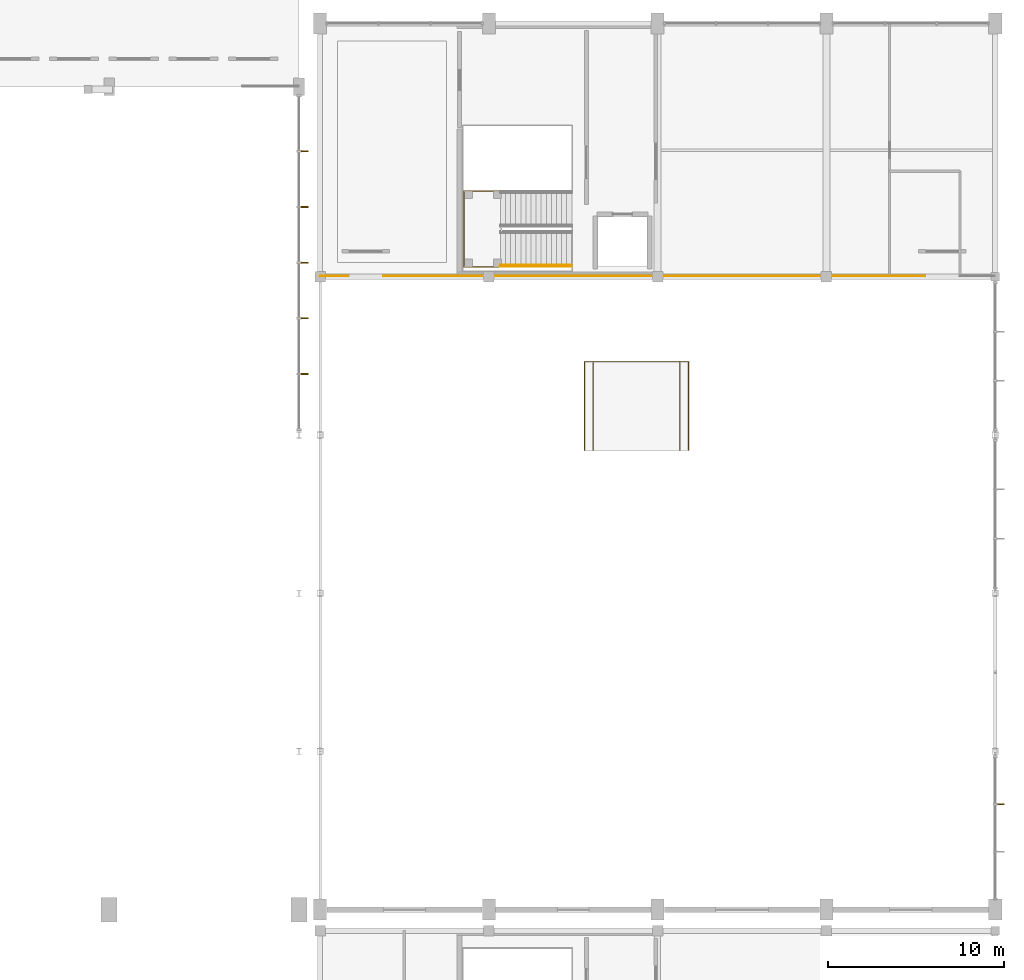
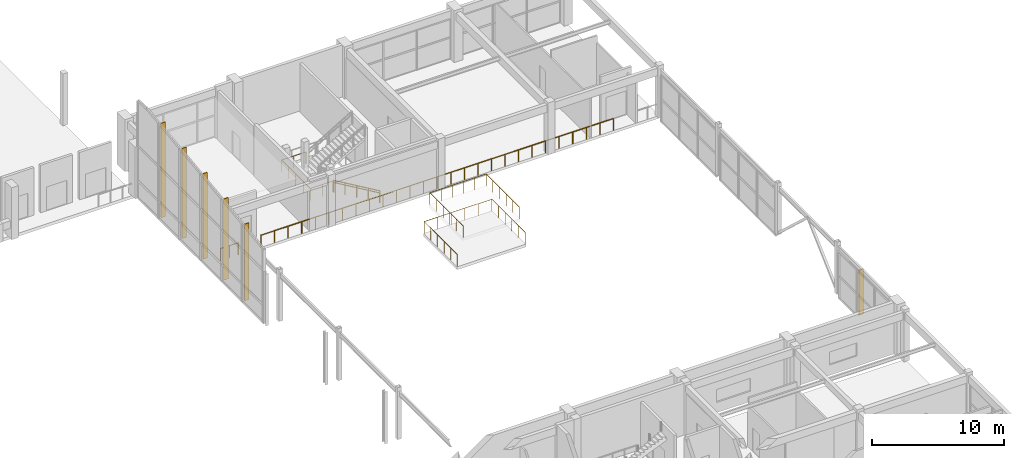
# One storey, part 71 of 74: 7 railings, 6 shading devices.
"""IFC4 building model written with IfcOpenShell, lengths in metres."""

from ifc_helpers import new_model, si_unit, direction, frame, origin, origin_2d, place, context, subcontext, project, spatial, rectangle, circle, extrude, material, type_object, element, save


model = new_model("IFC4")

# Units and contexts
model_context = context("Model", 3, precision=1e-05, world=origin(), true_north=direction((0.0, 1.0)))
body_context = subcontext(model_context, "Body", "Model", "MODEL_VIEW")
ifc_project = project(units=[si_unit("LENGTHUNIT", "METRE"), si_unit("AREAUNIT", "SQUARE_METRE"), si_unit("VOLUMEUNIT", "CUBIC_METRE"), si_unit("PLANEANGLEUNIT", "RADIAN"), si_unit("MASSUNIT", "GRAM", prefix="KILO")], contexts=[model_context])

# Site, building, storey
site_placement = place(None, origin())
site = spatial("IfcSite", under=ifc_project, at=site_placement, CompositionType="ELEMENT")
building_placement = place(site_placement, origin())
building = spatial("IfcBuilding", under=site, at=building_placement, Name="Suirenkawa Promenade Aquatics Centre", CompositionType="ELEMENT")
storey_placement = place(building_placement, frame((0.0, 0.0, 4.800048828125)))
storey = spatial("IfcBuildingStorey", under=building, at=storey_placement, Name="L01", CompositionType="ELEMENT", Elevation=4.800048828125)

# Railings
ifc_material_1 = material(Name="Marine-grade stainless steel Grade 316L", Category="steel")
railing_type_1 = type_object("IfcRailingType", Name="RLT-BALUSTRADE-1120", PredefinedType="BALUSTRADE", material=ifc_material_1)
railing_1_placement = place(storey_placement, frame((156.0400390625, 86.43994140625, 0.0)))
element("IfcRailing", 1, at=railing_1_placement, inside=storey, type_object=railing_type_1, Name="Balustrade BAL-01 RL-0427", PredefinedType="BALUSTRADE", context=body_context, shape_type="SweptSolid", body=[
    extrude(circle(Radius=0.02392578125, at=origin_2d()), frame((0.0, 0.0, 1.09619140625), z_axis=(1.0, 0.0, 0.0), x_axis=(0.0, 1.0, 0.0)), (0.0, 0.0, 1.0), 1.56005859375),
    extrude(circle(Radius=0.02099609375, at=origin_2d()), origin(), (0.0, 0.0, 1.0), 1.072021484375),
    extrude(circle(Radius=0.02099609375, at=origin_2d()), frame((0.780029296875, 0.0, 0.0)), (0.0, 0.0, 1.0), 1.072021484375),
    extrude(circle(Radius=0.02099609375, at=origin_2d()), frame((1.56005859375, 0.0, 0.0)), (0.0, 0.0, 1.0), 1.072021484375),
])
railing_2_placement = place(storey_placement, frame((159.60009765625, 86.43994140625, 0.0)))
element("IfcRailing", 2, at=railing_2_placement, inside=storey, type_object=railing_type_1, Name="Balustrade BAL-01 RL-0428", PredefinedType="BALUSTRADE", context=body_context, shape_type="SweptSolid", body=[
    extrude(circle(Radius=0.02392578125, at=origin_2d()), frame((0.0, 0.0, 1.09619140625), z_axis=(1.0, 0.0, 0.0), x_axis=(0.0, 1.0, 0.0)), (0.0, 0.0, 1.0), 30.7998046875),
    extrude(circle(Radius=0.02099609375, at=origin_2d()), origin(), (0.0, 0.0, 1.0), 1.072021484375),
    extrude(circle(Radius=0.02099609375, at=origin_2d()), frame((1.1845703125, 0.0, 0.0)), (0.0, 0.0, 1.0), 1.072021484375),
    extrude(circle(Radius=0.02099609375, at=origin_2d()), frame((2.369140625, 0.0, 0.0)), (0.0, 0.0, 1.0), 1.072021484375),
    extrude(circle(Radius=0.02099609375, at=origin_2d()), frame((3.5537109375, 0.0, 0.0)), (0.0, 0.0, 1.0), 1.072021484375),
    extrude(circle(Radius=0.02099609375, at=origin_2d()), frame((4.738525390625, 0.0, 0.0)), (0.0, 0.0, 1.0), 1.072021484375),
    extrude(circle(Radius=0.02099609375, at=origin_2d()), frame((5.923095703125, 0.0, 0.0)), (0.0, 0.0, 1.0), 1.072021484375),
    extrude(circle(Radius=0.02099609375, at=origin_2d()), frame((7.107666015625, 0.0, 0.0)), (0.0, 0.0, 1.0), 1.072021484375),
    extrude(circle(Radius=0.02099609375, at=origin_2d()), frame((8.292236328125, 0.0, 0.0)), (0.0, 0.0, 1.0), 1.072021484375),
    extrude(circle(Radius=0.02099609375, at=origin_2d()), frame((9.476806640625, 0.0, 0.0)), (0.0, 0.0, 1.0), 1.072021484375),
    extrude(circle(Radius=0.02099609375, at=origin_2d()), frame((10.661376953125, 0.0, 0.0)), (0.0, 0.0, 1.0), 1.072021484375),
    extrude(circle(Radius=0.02099609375, at=origin_2d()), frame((11.84619140625, 0.0, 0.0)), (0.0, 0.0, 1.0), 1.072021484375),
    extrude(circle(Radius=0.02099609375, at=origin_2d()), frame((13.03076171875, 0.0, 0.0)), (0.0, 0.0, 1.0), 1.072021484375),
    extrude(circle(Radius=0.02099609375, at=origin_2d()), frame((14.21533203125, 0.0, 0.0)), (0.0, 0.0, 1.0), 1.072021484375),
    extrude(circle(Radius=0.02099609375, at=origin_2d()), frame((15.39990234375, 0.0, 0.0)), (0.0, 0.0, 1.0), 1.072021484375),
    extrude(circle(Radius=0.02099609375, at=origin_2d()), frame((16.58447265625, 0.0, 0.0)), (0.0, 0.0, 1.0), 1.072021484375),
    extrude(circle(Radius=0.02099609375, at=origin_2d()), frame((17.76904296875, 0.0, 0.0)), (0.0, 0.0, 1.0), 1.072021484375),
    extrude(circle(Radius=0.02099609375, at=origin_2d()), frame((18.95361328125, 0.0, 0.0)), (0.0, 0.0, 1.0), 1.072021484375),
    extrude(circle(Radius=0.02099609375, at=origin_2d()), frame((20.138427734375, 0.0, 0.0)), (0.0, 0.0, 1.0), 1.072021484375),
    extrude(circle(Radius=0.02099609375, at=origin_2d()), frame((21.322998046875, 0.0, 0.0)), (0.0, 0.0, 1.0), 1.072021484375),
    extrude(circle(Radius=0.02099609375, at=origin_2d()), frame((22.507568359375, 0.0, 0.0)), (0.0, 0.0, 1.0), 1.072021484375),
    extrude(circle(Radius=0.02099609375, at=origin_2d()), frame((23.692138671875, 0.0, 0.0)), (0.0, 0.0, 1.0), 1.072021484375),
    extrude(circle(Radius=0.02099609375, at=origin_2d()), frame((24.876708984375, 0.0, 0.0)), (0.0, 0.0, 1.0), 1.072021484375),
    extrude(circle(Radius=0.02099609375, at=origin_2d()), frame((26.061279296875, 0.0, 0.0)), (0.0, 0.0, 1.0), 1.072021484375),
    extrude(circle(Radius=0.02099609375, at=origin_2d()), frame((27.24609375, 0.0, 0.0)), (0.0, 0.0, 1.0), 1.072021484375),
    extrude(circle(Radius=0.02099609375, at=origin_2d()), frame((28.4306640625, 0.0, 0.0)), (0.0, 0.0, 1.0), 1.072021484375),
    extrude(circle(Radius=0.02099609375, at=origin_2d()), frame((29.615234375, 0.0, 0.0)), (0.0, 0.0, 1.0), 1.072021484375),
    extrude(circle(Radius=0.02099609375, at=origin_2d()), frame((30.7998046875, 0.0, 0.0)), (0.0, 0.0, 1.0), 1.072021484375),
])
railing_type_2 = type_object("IfcRailingType", Name="RLT-GUARD-1120", PredefinedType="GUARDRAIL", material=ifc_material_1)
railing_3_placement = place(storey_placement, frame((170.31494140625, 87.0, 0.0)))
element("IfcRailing", 3, at=railing_3_placement, inside=storey, type_object=railing_type_2, Name="Guardrail GRD-01 RL-0163", PredefinedType="GUARDRAIL", context=body_context, shape_type="SweptSolid", body=[
    extrude(circle(Radius=0.02392578125, at=origin_2d()), frame((0.0, 0.0, 1.09619140625), z_axis=(-0.8608543813, 0.0, 0.508851387142), x_axis=(0.0, -1.0, 0.0)), (0.0, 0.0, 1.0), 4.71630859375),
    extrude(circle(Radius=0.02099609375, at=origin_2d()), origin(), (0.0, 0.0, 1.0), 1.072021484375),
    extrude(circle(Radius=0.02099609375, at=origin_2d()), frame((-1.01513671875, 0.0, 0.60009765625)), (0.0, 0.0, 1.0), 1.072021484375),
    extrude(circle(Radius=0.02099609375, at=origin_2d()), frame((-2.030029296875, 0.0, 1.199951171875)), (0.0, 0.0, 1.0), 1.072021484375),
    extrude(circle(Radius=0.02099609375, at=origin_2d()), frame((-3.044921875, 0.0, 1.7998046875)), (0.0, 0.0, 1.0), 1.072021484375),
    extrude(circle(Radius=0.02099609375, at=origin_2d()), frame((-4.06005859375, 0.0, 2.39990234375)), (0.0, 0.0, 1.0), 1.072021484375),
])
railing_4_placement = place(storey_placement, frame((166.320068359375, 86.949951171875, 2.39990234375)))
element("IfcRailing", 4, at=railing_4_placement, inside=storey, type_object=railing_type_2, Name="Guardrail GRD-01 RL-0169", PredefinedType="GUARDRAIL", context=body_context, shape_type="SweptSolid", body=[
    extrude(circle(Radius=0.02392578125, at=origin_2d()), frame((0.0, 0.0, 1.09619140625), z_axis=(-1.0, 0.0, 0.0), x_axis=(0.0, -1.0, 0.0)), (0.0, 0.0, 1.0), 2.130126953125),
    extrude(circle(Radius=0.02392578125, at=origin_2d()), frame((-2.130126953125, 0.0, 1.09619140625), z_axis=(0.0, 1.0, 0.0), x_axis=(-1.0, 0.0, 0.0)), (0.0, 0.0, 1.0), 4.330078125),
    extrude(circle(Radius=0.02392578125, at=origin_2d()), frame((-2.130126953125, 4.330078125, 1.09619140625), z_axis=(1.0, 0.0, 0.0), x_axis=(0.0, 1.0, 0.0)), (0.0, 0.0, 1.0), 2.130126953125),
    extrude(circle(Radius=0.02099609375, at=origin_2d()), origin(), (0.0, 0.0, 1.0), 1.072021484375),
    extrude(circle(Radius=0.02099609375, at=origin_2d()), frame((-1.06494140625, 0.0, 0.0)), (0.0, 0.0, 1.0), 1.072021484375),
    extrude(circle(Radius=0.02099609375, at=origin_2d()), frame((-2.130126953125, 0.0, 0.0)), (0.0, 0.0, 1.0), 1.072021484375),
    extrude(circle(Radius=0.02099609375, at=origin_2d()), frame((-2.130126953125, 1.08251953125, 0.0)), (0.0, 0.0, 1.0), 1.072021484375),
    extrude(circle(Radius=0.02099609375, at=origin_2d()), frame((-2.130126953125, 2.1650390625, 0.0)), (0.0, 0.0, 1.0), 1.072021484375),
    extrude(circle(Radius=0.02099609375, at=origin_2d()), frame((-2.130126953125, 3.24755859375, 0.0)), (0.0, 0.0, 1.0), 1.072021484375),
    extrude(circle(Radius=0.02099609375, at=origin_2d()), frame((-2.130126953125, 4.330078125, 0.0)), (0.0, 0.0, 1.0), 1.072021484375),
    extrude(circle(Radius=0.02099609375, at=origin_2d()), frame((-1.06494140625, 4.330078125, 0.0)), (0.0, 0.0, 1.0), 1.072021484375),
    extrude(circle(Radius=0.02099609375, at=origin_2d()), frame((0.0, 4.330078125, 0.0)), (0.0, 0.0, 1.0), 1.072021484375),
])
railing_5_placement = place(storey_placement, frame((171.0400390625, 76.5400390625, 0.199951171875)))
element("IfcRailing", 5, at=railing_5_placement, inside=storey, type_object=railing_type_2, Name="Guardrail GRD-01 RL-0434", PredefinedType="GUARDRAIL", context=body_context, shape_type="SweptSolid", body=[
    extrude(circle(Radius=0.02392578125, at=origin_2d()), frame((0.0, 0.0, 1.09619140625), z_axis=(0.0, 1.0, 0.0), x_axis=(-1.0, 0.0, 0.0)), (0.0, 0.0, 1.0), 5.02001953125),
    extrude(circle(Radius=0.02392578125, at=origin_2d()), frame((0.0, 5.02001953125, 1.09619140625), z_axis=(1.0, 0.0, 0.0), x_axis=(0.0, 1.0, 0.0)), (0.0, 0.0, 1.0), 5.919921875),
    extrude(circle(Radius=0.02392578125, at=origin_2d()), frame((5.919921875, 5.02001953125, 1.09619140625), z_axis=(0.0, -1.0, 0.0), x_axis=(1.0, 0.0, 0.0)), (0.0, 0.0, 1.0), 5.02001953125),
    extrude(circle(Radius=0.02099609375, at=origin_2d()), origin(), (0.0, 0.0, 1.0), 1.072021484375),
    extrude(circle(Radius=0.02099609375, at=origin_2d()), frame((0.0, 1.00390625, 0.0)), (0.0, 0.0, 1.0), 1.072021484375),
    extrude(circle(Radius=0.02099609375, at=origin_2d()), frame((0.0, 2.008056640625, 0.0)), (0.0, 0.0, 1.0), 1.072021484375),
    extrude(circle(Radius=0.02099609375, at=origin_2d()), frame((0.0, 3.011962890625, 0.0)), (0.0, 0.0, 1.0), 1.072021484375),
    extrude(circle(Radius=0.02099609375, at=origin_2d()), frame((0.0, 4.01611328125, 0.0)), (0.0, 0.0, 1.0), 1.072021484375),
    extrude(circle(Radius=0.02099609375, at=origin_2d()), frame((0.0, 5.02001953125, 0.0)), (0.0, 0.0, 1.0), 1.072021484375),
    extrude(circle(Radius=0.02099609375, at=origin_2d()), frame((1.18408203125, 5.02001953125, 0.0)), (0.0, 0.0, 1.0), 1.072021484375),
    extrude(circle(Radius=0.02099609375, at=origin_2d()), frame((2.367919921875, 5.02001953125, 0.0)), (0.0, 0.0, 1.0), 1.072021484375),
    extrude(circle(Radius=0.02099609375, at=origin_2d()), frame((3.552001953125, 5.02001953125, 0.0)), (0.0, 0.0, 1.0), 1.072021484375),
    extrude(circle(Radius=0.02099609375, at=origin_2d()), frame((4.73583984375, 5.02001953125, 0.0)), (0.0, 0.0, 1.0), 1.072021484375),
    extrude(circle(Radius=0.02099609375, at=origin_2d()), frame((5.919921875, 5.02001953125, 0.0)), (0.0, 0.0, 1.0), 1.072021484375),
    extrude(circle(Radius=0.02099609375, at=origin_2d()), frame((5.919921875, 4.01611328125, 0.0)), (0.0, 0.0, 1.0), 1.072021484375),
    extrude(circle(Radius=0.02099609375, at=origin_2d()), frame((5.919921875, 3.011962890625, 0.0)), (0.0, 0.0, 1.0), 1.072021484375),
    extrude(circle(Radius=0.02099609375, at=origin_2d()), frame((5.919921875, 2.008056640625, 0.0)), (0.0, 0.0, 1.0), 1.072021484375),
    extrude(circle(Radius=0.02099609375, at=origin_2d()), frame((5.919921875, 1.00390625, 0.0)), (0.0, 0.0, 1.0), 1.072021484375),
    extrude(circle(Radius=0.02099609375, at=origin_2d()), frame((5.919921875, 0.0, 0.0)), (0.0, 0.0, 1.0), 1.072021484375),
])
railing_6_placement = place(storey_placement, frame((171.5400390625, 76.5400390625, 2.699951171875)))
element("IfcRailing", 6, at=railing_6_placement, inside=storey, type_object=railing_type_2, Name="Guardrail GRD-01 RL-0435", PredefinedType="GUARDRAIL", context=body_context, shape_type="SweptSolid", body=[
    extrude(circle(Radius=0.02392578125, at=origin_2d()), frame((0.0, 0.0, 1.09619140625), z_axis=(0.0, 1.0, 0.0), x_axis=(-1.0, 0.0, 0.0)), (0.0, 0.0, 1.0), 5.02001953125),
    extrude(circle(Radius=0.02392578125, at=origin_2d()), frame((0.0, 5.02001953125, 1.09619140625), z_axis=(1.0, 0.0, 0.0), x_axis=(0.0, 1.0, 0.0)), (0.0, 0.0, 1.0), 4.919921875),
    extrude(circle(Radius=0.02392578125, at=origin_2d()), frame((4.919921875, 5.02001953125, 1.09619140625), z_axis=(0.0, -1.0, 0.0), x_axis=(1.0, 0.0, 0.0)), (0.0, 0.0, 1.0), 5.02001953125),
    extrude(circle(Radius=0.02099609375, at=origin_2d()), origin(), (0.0, 0.0, 1.0), 1.072021484375),
    extrude(circle(Radius=0.02099609375, at=origin_2d()), frame((0.0, 1.00390625, 0.0)), (0.0, 0.0, 1.0), 1.072021484375),
    extrude(circle(Radius=0.02099609375, at=origin_2d()), frame((0.0, 2.008056640625, 0.0)), (0.0, 0.0, 1.0), 1.072021484375),
    extrude(circle(Radius=0.02099609375, at=origin_2d()), frame((0.0, 3.011962890625, 0.0)), (0.0, 0.0, 1.0), 1.072021484375),
    extrude(circle(Radius=0.02099609375, at=origin_2d()), frame((0.0, 4.01611328125, 0.0)), (0.0, 0.0, 1.0), 1.072021484375),
    extrude(circle(Radius=0.02099609375, at=origin_2d()), frame((0.0, 5.02001953125, 0.0)), (0.0, 0.0, 1.0), 1.072021484375),
    extrude(circle(Radius=0.02099609375, at=origin_2d()), frame((0.98388671875, 5.02001953125, 0.0)), (0.0, 0.0, 1.0), 1.072021484375),
    extrude(circle(Radius=0.02099609375, at=origin_2d()), frame((1.968017578125, 5.02001953125, 0.0)), (0.0, 0.0, 1.0), 1.072021484375),
    extrude(circle(Radius=0.02099609375, at=origin_2d()), frame((2.951904296875, 5.02001953125, 0.0)), (0.0, 0.0, 1.0), 1.072021484375),
    extrude(circle(Radius=0.02099609375, at=origin_2d()), frame((3.93603515625, 5.02001953125, 0.0)), (0.0, 0.0, 1.0), 1.072021484375),
    extrude(circle(Radius=0.02099609375, at=origin_2d()), frame((4.919921875, 5.02001953125, 0.0)), (0.0, 0.0, 1.0), 1.072021484375),
    extrude(circle(Radius=0.02099609375, at=origin_2d()), frame((4.919921875, 4.01611328125, 0.0)), (0.0, 0.0, 1.0), 1.072021484375),
    extrude(circle(Radius=0.02099609375, at=origin_2d()), frame((4.919921875, 3.011962890625, 0.0)), (0.0, 0.0, 1.0), 1.072021484375),
    extrude(circle(Radius=0.02099609375, at=origin_2d()), frame((4.919921875, 2.008056640625, 0.0)), (0.0, 0.0, 1.0), 1.072021484375),
    extrude(circle(Radius=0.02099609375, at=origin_2d()), frame((4.919921875, 1.00390625, 0.0)), (0.0, 0.0, 1.0), 1.072021484375),
    extrude(circle(Radius=0.02099609375, at=origin_2d()), frame((4.919921875, 0.0, 0.0)), (0.0, 0.0, 1.0), 1.072021484375),
])
railing_type_3 = type_object("IfcRailingType", Name="RLT-HANDRAIL-900", PredefinedType="HANDRAIL", material=ifc_material_1)
railing_7_placement = place(storey_placement, frame((170.31494140625, 87.050048828125, 0.0)))
element("IfcRailing", 7, at=railing_7_placement, inside=storey, type_object=railing_type_3, Name="Handrail HRL-01 RL-0164", PredefinedType="HANDRAIL", context=body_context, shape_type="SweptSolid", body=[
    extrude(circle(Radius=0.02392578125, at=origin_2d()), frame((0.0, 0.0, 0.8759765625), z_axis=(-0.8608543813, 0.0, 0.508851387142), x_axis=(0.0, -1.0, 0.0)), (0.0, 0.0, 1.0), 4.71630859375),
    extrude(circle(Radius=0.02099609375, at=origin_2d()), origin(), (0.0, 0.0, 1.0), 0.851806640625),
    extrude(circle(Radius=0.02099609375, at=origin_2d()), frame((-1.01513671875, 0.0, 0.60009765625)), (0.0, 0.0, 1.0), 0.851806640625),
    extrude(circle(Radius=0.02099609375, at=origin_2d()), frame((-2.030029296875, 0.0, 1.199951171875)), (0.0, 0.0, 1.0), 0.851806640625),
    extrude(circle(Radius=0.02099609375, at=origin_2d()), frame((-3.044921875, 0.0, 1.7998046875)), (0.0, 0.0, 1.0), 0.851806640625),
    extrude(circle(Radius=0.02099609375, at=origin_2d()), frame((-4.06005859375, 0.0, 2.39990234375)), (0.0, 0.0, 1.0), 0.851806640625),
])

# Shading devices
ifc_material_2 = material(Name="Anodised aluminium 6063-T6", Category="aluminium")
shading_device_type = type_object("IfcShadingDeviceType", Name="SDT-KOUSHI-400", PredefinedType="USERDEFINED", material=ifc_material_2)
shading_device_1_placement = place(storey_placement, frame((155.1220703125, 93.533935546875, 0.0400390625), z_axis=(0.0, 0.0, 1.0), x_axis=(1.0, 0.0, 0.0)))
element("IfcShadingDevice", 8, at=shading_device_1_placement, inside=storey, type_object=shading_device_type, Name="Vertical solar shading fin FN-01 FIN-0018", ObjectType="FIN", PredefinedType="USERDEFINED", context=body_context, shape_type="SweptSolid", body=[
    extrude(rectangle(XDim=0.39990234375, YDim=0.06005859375, at=origin_2d()), origin(), (0.0, 0.0, 1.0), 8.7294921875),
])
shading_device_2_placement = place(storey_placement, frame((155.1220703125, 90.366943359375, 0.0400390625), z_axis=(0.0, 0.0, 1.0), x_axis=(1.0, 0.0, 0.0)))
element("IfcShadingDevice", 9, at=shading_device_2_placement, inside=storey, type_object=shading_device_type, Name="Vertical solar shading fin FN-01 FIN-0019", ObjectType="FIN", PredefinedType="USERDEFINED", context=body_context, shape_type="SweptSolid", body=[
    extrude(rectangle(XDim=0.39990234375, YDim=0.06005859375, at=origin_2d()), origin(), (0.0, 0.0, 1.0), 8.3212890625),
])
shading_device_3_placement = place(storey_placement, frame((155.1220703125, 87.199951171875, 0.0400390625), z_axis=(0.0, 0.0, 1.0), x_axis=(1.0, 0.0, 0.0)))
element("IfcShadingDevice", 10, at=shading_device_3_placement, inside=storey, type_object=shading_device_type, Name="Vertical solar shading fin FN-01 FIN-0020", ObjectType="FIN", PredefinedType="USERDEFINED", context=body_context, shape_type="SweptSolid", body=[
    extrude(rectangle(XDim=0.39990234375, YDim=0.06005859375, at=origin_2d()), origin(), (0.0, 0.0, 1.0), 7.9130859375),
])
shading_device_4_placement = place(storey_placement, frame((155.1220703125, 84.032958984375, 0.0400390625), z_axis=(0.0, 0.0, 1.0), x_axis=(1.0, 0.0, 0.0)))
element("IfcShadingDevice", 11, at=shading_device_4_placement, inside=storey, type_object=shading_device_type, Name="Vertical solar shading fin FN-01 FIN-0021", ObjectType="FIN", PredefinedType="USERDEFINED", context=body_context, shape_type="SweptSolid", body=[
    extrude(rectangle(XDim=0.39990234375, YDim=0.06005859375, at=origin_2d()), origin(), (0.0, 0.0, 1.0), 7.5048828125),
])
shading_device_5_placement = place(storey_placement, frame((155.1220703125, 80.865966796875, 0.0400390625), z_axis=(0.0, 0.0, 1.0), x_axis=(1.0, 0.0, 0.0)))
element("IfcShadingDevice", 12, at=shading_device_5_placement, inside=storey, type_object=shading_device_type, Name="Vertical solar shading fin FN-01 FIN-0022", ObjectType="FIN", PredefinedType="USERDEFINED", context=body_context, shape_type="SweptSolid", body=[
    extrude(rectangle(XDim=0.39990234375, YDim=0.06005859375, at=origin_2d()), origin(), (0.0, 0.0, 1.0), 7.0966796875),
])
shading_device_6_placement = place(storey_placement, frame((194.701904296875, 56.400390625, -0.31005859375), z_axis=(0.0, 0.0, 1.0), x_axis=(1.0, 0.0, 0.0)))
element("IfcShadingDevice", 13, at=shading_device_6_placement, inside=storey, type_object=shading_device_type, Name="Vertical solar shading fin FN-01 FIN-0023", ObjectType="FIN", PredefinedType="USERDEFINED", context=body_context, shape_type="SweptSolid", body=[
    extrude(rectangle(XDim=0.39990234375, YDim=0.06005859375, at=origin_2d()), origin(), (0.0, 0.0, 1.0), 4.175048828125),
])

save(model, "model.ifc")
